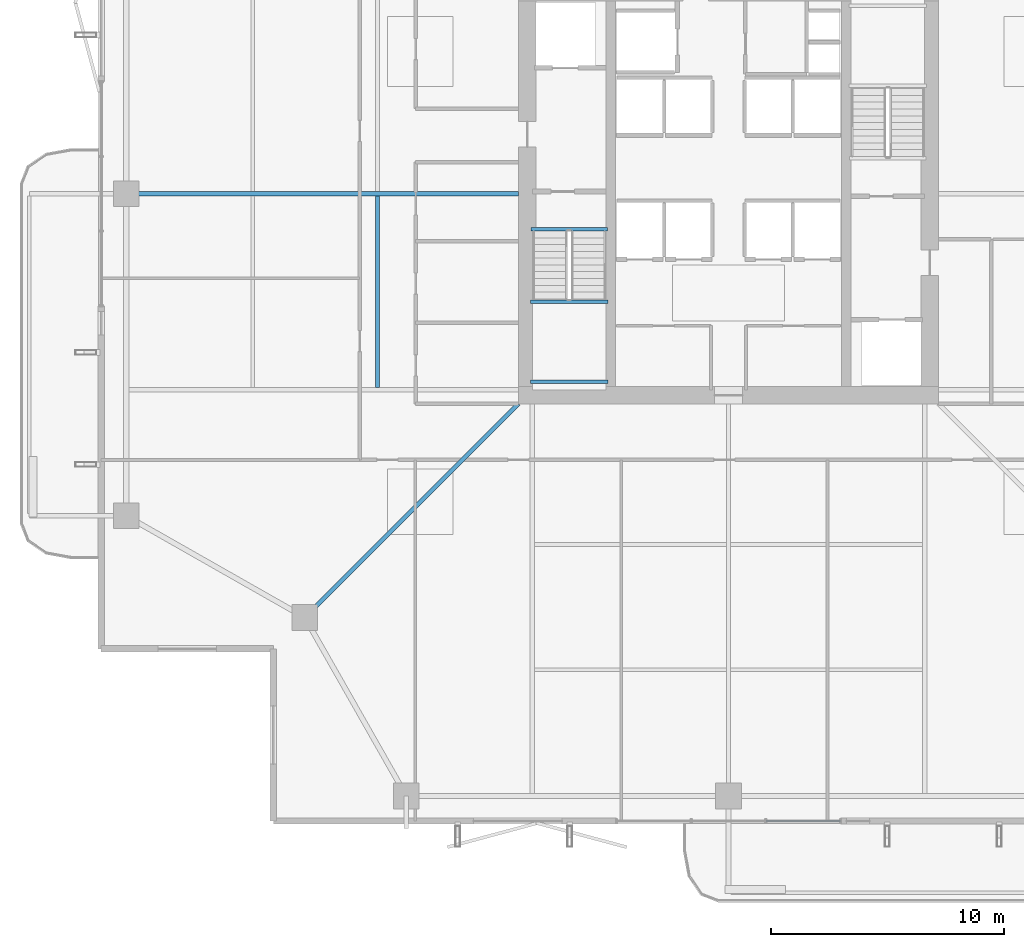
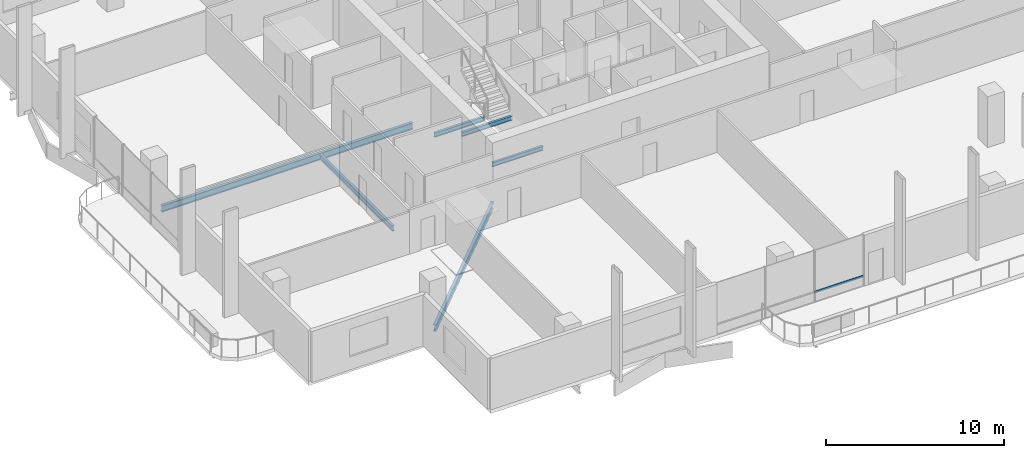
# One storey, part 5 of 24: 6 beams, 1 member, 1 element without a shape of its own.
"""IFC4 building model written with IfcOpenShell, lengths in metres."""

from ifc_helpers import new_model, si_unit, direction, frame, origin, origin_2d, place, context, subcontext, project, spatial, hollow_rectangle, i_section, extrude, material, layer, layer_set, material_profile, profile_set, type_object, element, aggregate, save


model = new_model("IFC4")

# Units and contexts
model_context = context("Model", 3, precision=1e-05, world=origin(), true_north=direction((0.0, 1.0)))
body_context = subcontext(model_context, "Body", "Model", "MODEL_VIEW")
ifc_project = project(units=[si_unit("LENGTHUNIT", "METRE"), si_unit("AREAUNIT", "SQUARE_METRE"), si_unit("VOLUMEUNIT", "CUBIC_METRE"), si_unit("PLANEANGLEUNIT", "RADIAN"), si_unit("MASSUNIT", "GRAM", prefix="KILO")], contexts=[model_context])

# Site, building, storey
site_placement = place(None, origin())
site = spatial("IfcSite", under=ifc_project, at=site_placement, CompositionType="ELEMENT")
building_placement = place(site_placement, origin())
building = spatial("IfcBuilding", under=site, at=building_placement, Name="Belovzor Exchange Tower", CompositionType="ELEMENT")
storey_placement = place(building_placement, frame((0.0, 0.0, 203.699951171875)))
storey = spatial("IfcBuildingStorey", under=building, at=storey_placement, Name="L50", CompositionType="ELEMENT", Elevation=203.699951171875)

# Beams
ifc_material_1 = material(Name="Steel S355", Category="steel")
ifc_material_profile_1 = material_profile(ifc_material_1, i_section(OverallWidth=0.169921875, OverallDepth=0.360107421875, WebThickness=0.008056640625, FlangeThickness=0.0126953125, at=origin_2d()))
ifc_profile_set_1 = profile_set([ifc_material_profile_1], Name="Steel S355")
beam_type_1 = type_object("IfcBeamType", Name="Secondary Infill Floor Joist IPE 360", PredefinedType="BEAM", material=ifc_profile_set_1)
beam_1_placement = place(storey_placement, frame((13.77197265625, 20.4951171875, -0.429931640625), z_axis=(0.0, 1.0, 0.0), x_axis=(-1.0, 0.0, 0.0)))
element("IfcBeam", 1, at=beam_1_placement, inside=storey, type_object=beam_type_1, Name="FJ-360 Secondary Infill Floor Joist IPE 360", PredefinedType="BEAM", context=body_context, shape_type="SweptSolid", body=[
    extrude(i_section(OverallWidth=0.169921875, OverallDepth=0.360107421875, WebThickness=0.008056640625, FlangeThickness=0.0126953125, at=origin_2d()), origin(), (0.0, 0.0, 1.0), 8.2099609375),
])
ifc_material_2 = material(Name="Steel S355", Category="steel")
ifc_material_profile_2 = material_profile(ifc_material_2, i_section(OverallWidth=0.14990234375, OverallDepth=0.300048828125, WebThickness=0.007080078125, FlangeThickness=0.0107421875, at=origin_2d()))
ifc_profile_set_2 = profile_set([ifc_material_profile_2], Name="Steel S355")
beam_type_2 = type_object("IfcBeamType", Name="Secondary Trim Floor Joist IPE 300", PredefinedType="BEAM", material=ifc_profile_set_2)
for number, where, z_axis, x_axis, name in (
    (2, (20.320068359375, 24.179931640625, 1.525146484375), (1.0, 0.0, 0.0), (0.0, 1.0, 0.0), "FJ-300 Secondary Trim Floor Joist IPE 300"),
    (3, (20.320068359375, 20.75, 1.525146484375), (1.0, 0.0, 0.0), (0.0, 1.0, 0.0), "FJ-300 Secondary Trim Floor Joist IPE 300"),
):
    element("IfcBeam", number, at=place(storey_placement, frame(where, z_axis=z_axis, x_axis=x_axis)), inside=storey, type_object=beam_type_2, Name=name, PredefinedType="BEAM", context=body_context, shape_type="SweptSolid", body=[
        extrude(i_section(OverallWidth=0.14990234375, OverallDepth=0.300048828125, WebThickness=0.007080078125, FlangeThickness=0.0107421875, at=origin_2d()), origin(), (0.0, 0.0, 1.0), 3.309814453125),
    ])
beam_2_placement = place(storey_placement, frame((20.340087890625, 27.280029296875, -0.39990234375), z_axis=(1.0, 0.0, 0.0), x_axis=(0.0, 1.0, 0.0)))
element("IfcBeam", 4, at=beam_2_placement, inside=storey, type_object=beam_type_2, Name="FJ-300 Secondary Trim Floor Joist IPE 300", PredefinedType="BEAM", context=body_context, shape_type="SweptSolid", body=[
    extrude(i_section(OverallWidth=0.14990234375, OverallDepth=0.300048828125, WebThickness=0.007080078125, FlangeThickness=0.0107421875, at=origin_2d()), origin(), (0.0, 0.0, 1.0), 3.27001953125),
])

# Curtain wall, member
ifc_material_3 = material(Name="Anodised Aluminium Framing", Category="aluminium")
ifc_layer = layer(ifc_material_3, 0.179931640625)
ifc_layer_set = layer_set([ifc_layer], Name="Anodised Aluminium Framing")
curtain_wall_type = type_object("IfcCurtainWallType", Name="Recessed Loggia Low-Iron Triple-Glazed Curtain Wall", PredefinedType="NOTDEFINED", material=ifc_layer_set)
curtain_wall_placement = place(storey_placement, origin())
curtain_wall = element("IfcCurtainWall", 5, at=curtain_wall_placement, inside=storey, type_object=curtain_wall_type, Name="CW3 Recessed Loggia Low-Iron Triple-Glazed Curtain Wall L50", PredefinedType="NOTDEFINED")
ifc_material_4 = material(Name="Steel S355", Category="steel")
ifc_material_profile_3 = material_profile(ifc_material_4, hollow_rectangle(XDim=0.06005859375, YDim=0.14990234375, WallThickness=0.00390625, at=origin_2d()))
ifc_profile_set_3 = profile_set([ifc_material_profile_3], Name="Steel S355")
member_type = type_object("IfcMemberType", Name="Thermally Broken Curtain Wall Transom 150x60", PredefinedType="USERDEFINED", material=ifc_profile_set_3)
member_placement = place(storey_placement, frame((33.592041015625, 1.929931640625, 0.630126953125), z_axis=(-1.0, 0.0, 0.0), x_axis=(0.0, -1.0, 0.0)))
member = element("IfcMember", 6, at=member_placement, type_object=member_type, Name="CW-T150 Curtain Wall Transom 1", ObjectType="TRANSOM", PredefinedType="USERDEFINED", context=body_context, shape_type="SweptSolid", body=[
    extrude(hollow_rectangle(XDim=0.06005859375, YDim=0.14990234375, WallThickness=0.00390625, at=origin_2d()), origin(), (0.0, 0.0, 1.0), 3.18408203125),
])
aggregate(curtain_wall, [member])

# Beams
ifc_material_5 = material(Name="Steel S355", Category="steel")
ifc_material_profile_4 = material_profile(ifc_material_5, i_section(OverallWidth=0.18994140625, OverallDepth=0.449951171875, WebThickness=0.009521484375, FlangeThickness=0.0146484375, at=origin_2d()))
ifc_profile_set_4 = profile_set([ifc_material_profile_4], Name="Steel S355")
beam_type_3 = type_object("IfcBeamType", Name="Zone 2-4 Radial Composite Floor Beam IPE 450", PredefinedType="BEAM", material=ifc_profile_set_4)
beam_3_placement = place(storey_placement, frame((19.800048828125, 28.800048828125, -0.474853515625), z_axis=(-1.0, 0.0, 0.0), x_axis=(0.0, -1.0, 0.0)))
element("IfcBeam", 7, at=beam_3_placement, inside=storey, type_object=beam_type_3, Name="FB-450 Zone 2-4 Radial Composite Floor Beam IPE 450", PredefinedType="BEAM", context=body_context, shape_type="SweptSolid", body=[
    extrude(i_section(OverallWidth=0.18994140625, OverallDepth=0.449951171875, WebThickness=0.009521484375, FlangeThickness=0.0146484375, at=origin_2d()), origin(), (0.0, 0.0, 1.0), 16.316162109375),
])
beam_4_placement = place(storey_placement, frame((19.800048828125, 19.800048828125, -0.474853515625), z_axis=(-0.707106781187, -0.707106781187, 0.0), x_axis=(0.707106781187, -0.707106781187, 0.0)))
element("IfcBeam", 8, at=beam_4_placement, inside=storey, type_object=beam_type_3, Name="FB-450 Zone 2-4 Radial Composite Floor Beam IPE 450", PredefinedType="BEAM", context=body_context, shape_type="SweptSolid", body=[
    extrude(i_section(OverallWidth=0.18994140625, OverallDepth=0.449951171875, WebThickness=0.009521484375, FlangeThickness=0.0146484375, at=origin_2d()), origin(), (0.0, 0.0, 1.0), 12.551025390625),
])

save(model, "model.ifc")
